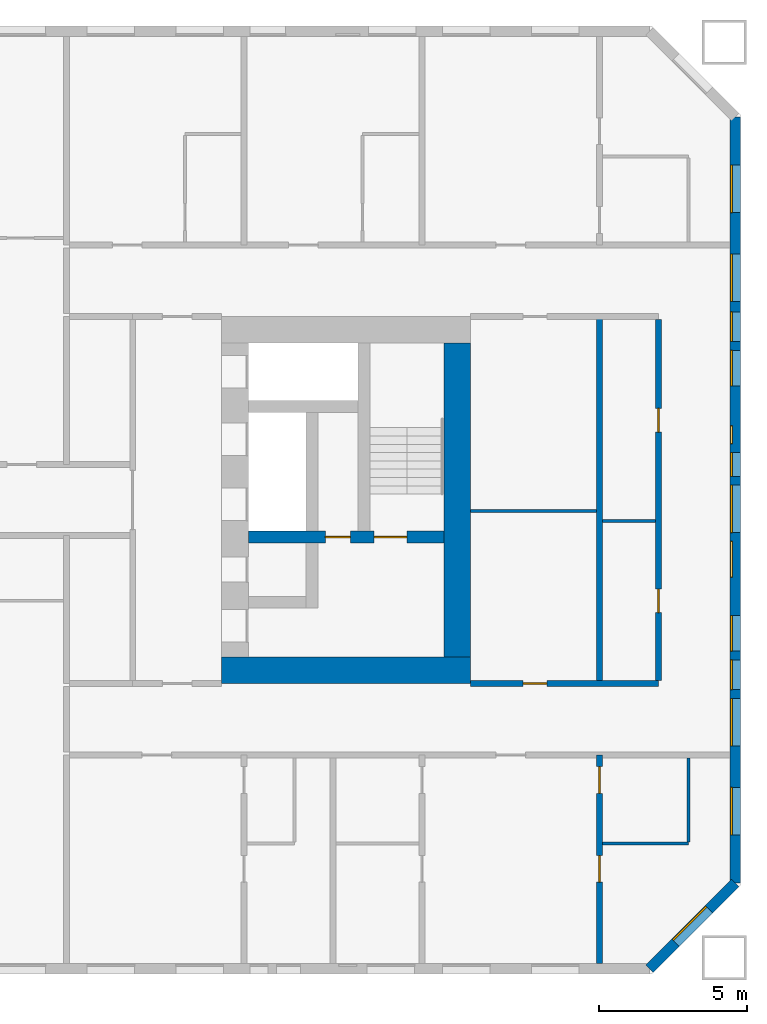
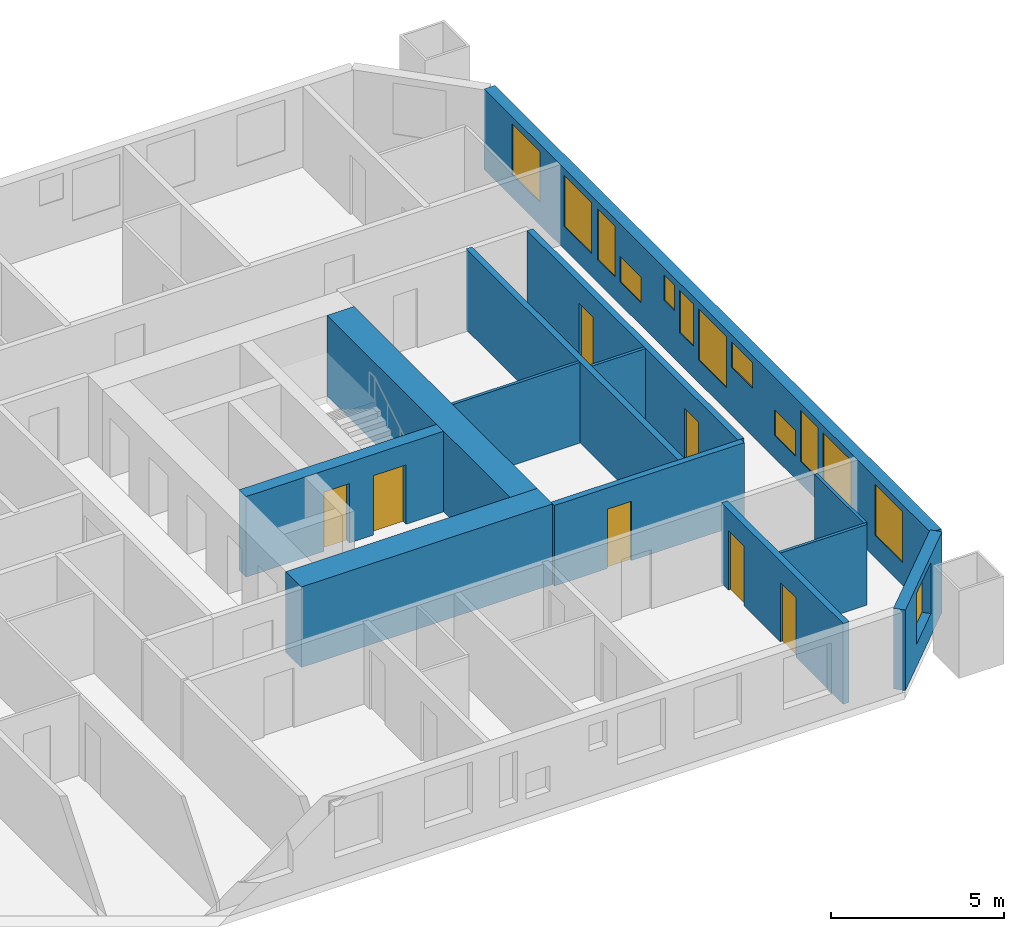
# One storey, part 13 of 17: 13 walls, 13 windows, 7 doors, 20 openings.
"""IFC4 building model written with IfcOpenShell, lengths in metres."""

from ifc_helpers import new_model, si_unit, direction, frame, frame_2d, origin, place, context, subcontext, project, spatial, rectangle, extrude, material, layer, layer_set, type_object, element, fill, save


model = new_model("IFC4")

# Units and contexts
model_context = context("Model", 3, precision=1e-05, world=origin(), true_north=direction((0.0, 1.0)))
body_context = subcontext(model_context, "Body", "Model", "MODEL_VIEW")
ifc_project = project(units=[si_unit("LENGTHUNIT", "METRE"), si_unit("AREAUNIT", "SQUARE_METRE"), si_unit("VOLUMEUNIT", "CUBIC_METRE"), si_unit("PLANEANGLEUNIT", "RADIAN"), si_unit("MASSUNIT", "GRAM", prefix="KILO")], contexts=[model_context])

# Site, building, storey
site_placement = place(None, origin())
site = spatial("IfcSite", under=ifc_project, at=site_placement, CompositionType="ELEMENT")
building_placement = place(site_placement, origin())
building = spatial("IfcBuilding", under=site, at=building_placement, Name="Tuart Gate Housing", CompositionType="ELEMENT")
storey_placement = place(building_placement, frame((0.0, 0.0, 28.800048828125)))
storey = spatial("IfcBuildingStorey", under=building, at=storey_placement, Name="L07", CompositionType="ELEMENT", Elevation=28.800048828125)

# Wall, opening, window
ifc_material_1 = material(Name="Brick", Category="masonry")
ifc_layer_1 = layer(ifc_material_1, 0.360107421875)
ifc_layer_set_1 = layer_set([ifc_layer_1], Name="Brick pier and spandrel wall 360")
wall_type_1 = type_object("IfcWallType", Name="Brick pier and spandrel wall 360", PredefinedType="STANDARD", material=ifc_layer_set_1)
wall_1_placement = place(storey_placement, frame((174.67529296875, 54.179931640625, 0.0), z_axis=(0.0, 0.0, 1.0), x_axis=(0.707106781187, 0.707106781187, 0.0)))
wall_1 = element("IfcWall", 1, at=wall_1_placement, inside=storey, type_object=wall_type_1, Name="External wall B-SE L07", PredefinedType="STANDARD", context=body_context, shape_type="SweptSolid", body=[
    extrude(rectangle(XDim=4.09375, YDim=0.360107421875, at=frame_2d((2.046875, 0.0))), origin(), (0.0, 0.0, 1.0), 2.849853515625),
])
opening_1_placement = place(wall_1_placement, frame((1.2470703125, 0.0, 0.800048828125)))
opening_1 = element("IfcOpeningElement", 2, at=opening_1_placement, cuts=wall_1, Name="Opening W1", PredefinedType="OPENING", context=body_context, shape_type="SweptSolid", body=[
    extrude(rectangle(XDim=1.60009765625, YDim=1.800048828125, at=frame_2d((0.800048828125, 0.89990234375))), frame((0.0, 0.18994140625, 0.0), z_axis=(0.0, -1.0, 0.0), x_axis=(1.0, 0.0, 0.0)), (0.0, 0.0, 1.0), 0.380126953125),
])
ifc_material_2 = material(Name="Aluminium frame with clear glass", Category="aluminium")
window_type_1 = type_object("IfcWindowType", Name="Punched window 1600 x 1800", PartitioningType="SINGLE_PANEL", PredefinedType="WINDOW", material=ifc_material_2)
window_1_placement = place(opening_1_placement, origin())
window_1 = element("IfcWindow", 3, at=window_1_placement, inside=storey, type_object=window_type_1, Name="Window W1", OverallHeight=1.800048828125, OverallWidth=1.60009765625, PartitioningType="SINGLE_PANEL", PredefinedType="WINDOW", context=body_context, shape_type="SweptSolid", body=[
    extrude(rectangle(XDim=1.60009765625, YDim=1.800048828125, at=frame_2d((0.800048828125, 0.89990234375))), frame((0.0, 0.150146484375, 0.0), z_axis=(0.0, -1.0, 0.0), x_axis=(1.0, 0.0, 0.0)), (0.0, 0.0, 1.0), 0.06005859375),
])
fill(opening_1, window_1)

# Wall, openings, windows
wall_2_placement = place(storey_placement, frame((177.570068359375, 57.07470703125, 0.0), z_axis=(0.0, 0.0, 1.0), x_axis=(0.0, 1.0, 0.0)))
wall_2 = element("IfcWall", 4, at=wall_2_placement, inside=storey, type_object=wall_type_1, Name="External wall B-E L07", PredefinedType="STANDARD", context=body_context, shape_type="SweptSolid", body=[
    extrude(rectangle(XDim=25.850830078125, YDim=0.360107421875, at=frame_2d((12.92529296875, 0.0))), origin(), (0.0, 0.0, 1.0), 2.849853515625),
])
opening_2_placement = place(wall_2_placement, frame((1.62548828125, 0.0, 0.800048828125)))
opening_2 = element("IfcOpeningElement", 5, at=opening_2_placement, cuts=wall_2, Name="Opening W1", PredefinedType="OPENING", context=body_context, shape_type="SweptSolid", body=[
    extrude(rectangle(XDim=1.60009765625, YDim=1.800048828125, at=frame_2d((0.800048828125, 0.89990234375))), frame((0.0, 0.18994140625, 0.0), z_axis=(0.0, -1.0, 0.0), x_axis=(1.0, 0.0, 0.0)), (0.0, 0.0, 1.0), 0.380126953125),
])
opening_3_placement = place(wall_2_placement, frame((4.62548828125, 0.0, 0.800048828125)))
opening_3 = element("IfcOpeningElement", 6, at=opening_3_placement, cuts=wall_2, Name="Opening W1", PredefinedType="OPENING", context=body_context, shape_type="SweptSolid", body=[
    extrude(rectangle(XDim=1.60009765625, YDim=1.800048828125, at=frame_2d((0.800048828125, 0.89990234375))), frame((0.0, 0.18994140625, 0.0), z_axis=(0.0, -1.0, 0.0), x_axis=(1.0, 0.0, 0.0)), (0.0, 0.0, 1.0), 0.380126953125),
])
opening_4_placement = place(wall_2_placement, frame((6.525390625, 0.0, 0.800048828125)))
opening_4 = element("IfcOpeningElement", 7, at=opening_4_placement, cuts=wall_2, Name="Opening W1C", PredefinedType="OPENING", context=body_context, shape_type="SweptSolid", body=[
    extrude(rectangle(XDim=1.0, YDim=1.800048828125, at=frame_2d((0.5, 0.89990234375))), frame((0.0, 0.18994140625, 0.0), z_axis=(0.0, -1.0, 0.0), x_axis=(1.0, 0.0, 0.0)), (0.0, 0.0, 1.0), 0.380126953125),
])
opening_5_placement = place(wall_2_placement, frame((7.825439453125, 0.0, 0.800048828125)))
opening_5 = element("IfcOpeningElement", 8, at=opening_5_placement, cuts=wall_2, Name="Opening W1T", PredefinedType="OPENING", context=body_context, shape_type="SweptSolid", body=[
    extrude(rectangle(XDim=1.199951171875, YDim=0.89990234375, at=frame_2d((0.60009765625, 0.449951171875))), frame((0.0, 0.18994140625, 0.0), z_axis=(0.0, -1.0, 0.0), x_axis=(1.0, 0.0, 0.0)), (0.0, 0.0, 1.0), 0.380126953125),
])
opening_6_placement = place(wall_2_placement, frame((10.325439453125, 0.0, 1.699951171875)))
opening_6 = element("IfcOpeningElement", 9, at=opening_6_placement, cuts=wall_2, Name="Opening W1T", PredefinedType="OPENING", context=body_context, shape_type="SweptSolid", body=[
    extrude(rectangle(XDim=1.199951171875, YDim=0.89990234375, at=frame_2d((0.60009765625, 0.449951171875))), frame((0.0, 0.18994140625, 0.0), z_axis=(0.0, -1.0, 0.0), x_axis=(1.0, 0.0, 0.0)), (0.0, 0.0, 1.0), 0.380126953125),
])
opening_7_placement = place(wall_2_placement, frame((11.825439453125, 0.0, 0.800048828125)))
opening_7 = element("IfcOpeningElement", 10, at=opening_7_placement, cuts=wall_2, Name="Opening W1", PredefinedType="OPENING", context=body_context, shape_type="SweptSolid", body=[
    extrude(rectangle(XDim=1.60009765625, YDim=1.800048828125, at=frame_2d((0.800048828125, 0.89990234375))), frame((0.0, 0.18994140625, 0.0), z_axis=(0.0, -1.0, 0.0), x_axis=(1.0, 0.0, 0.0)), (0.0, 0.0, 1.0), 0.380126953125),
])
opening_8_placement = place(wall_2_placement, frame((19.62548828125, 0.0, 0.800048828125)))
opening_8 = element("IfcOpeningElement", 11, at=opening_8_placement, cuts=wall_2, Name="Opening W1", PredefinedType="OPENING", context=body_context, shape_type="SweptSolid", body=[
    extrude(rectangle(XDim=1.60009765625, YDim=1.800048828125, at=frame_2d((0.800048828125, 0.89990234375))), frame((0.0, 0.18994140625, 0.0), z_axis=(0.0, -1.0, 0.0), x_axis=(1.0, 0.0, 0.0)), (0.0, 0.0, 1.0), 0.380126953125),
])
opening_9_placement = place(wall_2_placement, frame((22.62548828125, 0.0, 0.800048828125)))
opening_9 = element("IfcOpeningElement", 12, at=opening_9_placement, cuts=wall_2, Name="Opening W1", PredefinedType="OPENING", context=body_context, shape_type="SweptSolid", body=[
    extrude(rectangle(XDim=1.60009765625, YDim=1.800048828125, at=frame_2d((0.800048828125, 0.89990234375))), frame((0.0, 0.18994140625, 0.0), z_axis=(0.0, -1.0, 0.0), x_axis=(1.0, 0.0, 0.0)), (0.0, 0.0, 1.0), 0.380126953125),
])
opening_10_placement = place(wall_2_placement, frame((13.725341796875, 0.0, 1.10009765625)))
opening_10 = element("IfcOpeningElement", 13, at=opening_10_placement, cuts=wall_2, Name="Opening W1J", PredefinedType="OPENING", context=body_context, shape_type="SweptSolid", body=[
    extrude(rectangle(XDim=0.800048828125, YDim=1.5, at=frame_2d((0.39990234375, 0.75))), frame((0.0, 0.18994140625, 0.0), z_axis=(0.0, -1.0, 0.0), x_axis=(1.0, 0.0, 0.0)), (0.0, 0.0, 1.0), 0.380126953125),
])
opening_11_placement = place(wall_2_placement, frame((14.825439453125, 0.0, 1.699951171875)))
opening_11 = element("IfcOpeningElement", 14, at=opening_11_placement, cuts=wall_2, Name="Opening W1W", PredefinedType="OPENING", context=body_context, shape_type="SweptSolid", body=[
    extrude(rectangle(XDim=0.60009765625, YDim=0.89990234375, at=frame_2d((0.300048828125, 0.449951171875))), frame((0.0, 0.18994140625, 0.0), z_axis=(0.0, -1.0, 0.0), x_axis=(1.0, 0.0, 0.0)), (0.0, 0.0, 1.0), 0.380126953125),
])
opening_12_placement = place(wall_2_placement, frame((16.775390625, 0.0, 0.800048828125)))
opening_12 = element("IfcOpeningElement", 15, at=opening_12_placement, cuts=wall_2, Name="Opening W1T", PredefinedType="OPENING", context=body_context, shape_type="SweptSolid", body=[
    extrude(rectangle(XDim=1.199951171875, YDim=0.89990234375, at=frame_2d((0.60009765625, 0.449951171875))), frame((0.0, 0.18994140625, 0.0), z_axis=(0.0, -1.0, 0.0), x_axis=(1.0, 0.0, 0.0)), (0.0, 0.0, 1.0), 0.380126953125),
])
opening_13_placement = place(wall_2_placement, frame((18.275390625, 0.0, 0.800048828125)))
opening_13 = element("IfcOpeningElement", 16, at=opening_13_placement, cuts=wall_2, Name="Opening W1C", PredefinedType="OPENING", context=body_context, shape_type="SweptSolid", body=[
    extrude(rectangle(XDim=1.0, YDim=1.800048828125, at=frame_2d((0.5, 0.89990234375))), frame((0.0, 0.18994140625, 0.0), z_axis=(0.0, -1.0, 0.0), x_axis=(1.0, 0.0, 0.0)), (0.0, 0.0, 1.0), 0.380126953125),
])
ifc_material_3 = material(Name="Aluminium frame with clear glass", Category="aluminium")
window_type_2 = type_object("IfcWindowType", Name="Punched window 1000 x 1800", PartitioningType="SINGLE_PANEL", PredefinedType="WINDOW", material=ifc_material_3)
window_2_placement = place(opening_4_placement, origin())
window_2 = element("IfcWindow", 17, at=window_2_placement, inside=storey, type_object=window_type_2, Name="Window W1C", OverallHeight=1.800048828125, OverallWidth=1.0, PartitioningType="SINGLE_PANEL", PredefinedType="WINDOW", context=body_context, shape_type="SweptSolid", body=[
    extrude(rectangle(XDim=1.0, YDim=1.800048828125, at=frame_2d((0.5, 0.89990234375))), frame((0.0, 0.150146484375, 0.0), z_axis=(0.0, -1.0, 0.0), x_axis=(1.0, 0.0, 0.0)), (0.0, 0.0, 1.0), 0.06005859375),
])
fill(opening_4, window_2)
window_3_placement = place(opening_13_placement, origin())
window_3 = element("IfcWindow", 18, at=window_3_placement, inside=storey, type_object=window_type_2, Name="Window W1C", OverallHeight=1.800048828125, OverallWidth=1.0, PartitioningType="SINGLE_PANEL", PredefinedType="WINDOW", context=body_context, shape_type="SweptSolid", body=[
    extrude(rectangle(XDim=1.0, YDim=1.800048828125, at=frame_2d((0.5, 0.89990234375))), frame((0.0, 0.150146484375, 0.0), z_axis=(0.0, -1.0, 0.0), x_axis=(1.0, 0.0, 0.0)), (0.0, 0.0, 1.0), 0.06005859375),
])
fill(opening_13, window_3)
ifc_material_4 = material(Name="Aluminium frame with clear glass", Category="aluminium")
window_type_3 = type_object("IfcWindowType", Name="Punched window 1200 x 900", PartitioningType="SINGLE_PANEL", PredefinedType="WINDOW", material=ifc_material_4)
window_4_placement = place(opening_5_placement, origin())
window_4 = element("IfcWindow", 19, at=window_4_placement, inside=storey, type_object=window_type_3, Name="Window W1T", OverallHeight=0.89990234375, OverallWidth=1.199951171875, PartitioningType="SINGLE_PANEL", PredefinedType="WINDOW", context=body_context, shape_type="SweptSolid", body=[
    extrude(rectangle(XDim=1.199951171875, YDim=0.89990234375, at=frame_2d((0.60009765625, 0.449951171875))), frame((0.0, 0.150146484375, 0.0), z_axis=(0.0, -1.0, 0.0), x_axis=(1.0, 0.0, 0.0)), (0.0, 0.0, 1.0), 0.06005859375),
])
fill(opening_5, window_4)
window_5_placement = place(opening_6_placement, origin())
window_5 = element("IfcWindow", 20, at=window_5_placement, inside=storey, type_object=window_type_3, Name="Window W1T", OverallHeight=0.89990234375, OverallWidth=1.199951171875, PartitioningType="SINGLE_PANEL", PredefinedType="WINDOW", context=body_context, shape_type="SweptSolid", body=[
    extrude(rectangle(XDim=1.199951171875, YDim=0.89990234375, at=frame_2d((0.60009765625, 0.449951171875))), frame((0.0, 0.150146484375, 0.0), z_axis=(0.0, -1.0, 0.0), x_axis=(1.0, 0.0, 0.0)), (0.0, 0.0, 1.0), 0.06005859375),
])
fill(opening_6, window_5)
window_6_placement = place(opening_12_placement, origin())
window_6 = element("IfcWindow", 21, at=window_6_placement, inside=storey, type_object=window_type_3, Name="Window W1T", OverallHeight=0.89990234375, OverallWidth=1.199951171875, PartitioningType="SINGLE_PANEL", PredefinedType="WINDOW", context=body_context, shape_type="SweptSolid", body=[
    extrude(rectangle(XDim=1.199951171875, YDim=0.89990234375, at=frame_2d((0.60009765625, 0.449951171875))), frame((0.0, 0.150146484375, 0.0), z_axis=(0.0, -1.0, 0.0), x_axis=(1.0, 0.0, 0.0)), (0.0, 0.0, 1.0), 0.06005859375),
])
fill(opening_12, window_6)
window_7_placement = place(opening_2_placement, origin())
window_7 = element("IfcWindow", 22, at=window_7_placement, inside=storey, type_object=window_type_1, Name="Window W1", OverallHeight=1.800048828125, OverallWidth=1.60009765625, PartitioningType="SINGLE_PANEL", PredefinedType="WINDOW", context=body_context, shape_type="SweptSolid", body=[
    extrude(rectangle(XDim=1.60009765625, YDim=1.800048828125, at=frame_2d((0.800048828125, 0.89990234375))), frame((0.0, 0.150146484375, 0.0), z_axis=(0.0, -1.0, 0.0), x_axis=(1.0, 0.0, 0.0)), (0.0, 0.0, 1.0), 0.06005859375),
])
fill(opening_2, window_7)
window_8_placement = place(opening_3_placement, origin())
window_8 = element("IfcWindow", 23, at=window_8_placement, inside=storey, type_object=window_type_1, Name="Window W1", OverallHeight=1.800048828125, OverallWidth=1.60009765625, PartitioningType="SINGLE_PANEL", PredefinedType="WINDOW", context=body_context, shape_type="SweptSolid", body=[
    extrude(rectangle(XDim=1.60009765625, YDim=1.800048828125, at=frame_2d((0.800048828125, 0.89990234375))), frame((0.0, 0.150146484375, 0.0), z_axis=(0.0, -1.0, 0.0), x_axis=(1.0, 0.0, 0.0)), (0.0, 0.0, 1.0), 0.06005859375),
])
fill(opening_3, window_8)
window_9_placement = place(opening_7_placement, origin())
window_9 = element("IfcWindow", 24, at=window_9_placement, inside=storey, type_object=window_type_1, Name="Window W1", OverallHeight=1.800048828125, OverallWidth=1.60009765625, PartitioningType="SINGLE_PANEL", PredefinedType="WINDOW", context=body_context, shape_type="SweptSolid", body=[
    extrude(rectangle(XDim=1.60009765625, YDim=1.800048828125, at=frame_2d((0.800048828125, 0.89990234375))), frame((0.0, 0.150146484375, 0.0), z_axis=(0.0, -1.0, 0.0), x_axis=(1.0, 0.0, 0.0)), (0.0, 0.0, 1.0), 0.06005859375),
])
fill(opening_7, window_9)
window_10_placement = place(opening_8_placement, origin())
window_10 = element("IfcWindow", 25, at=window_10_placement, inside=storey, type_object=window_type_1, Name="Window W1", OverallHeight=1.800048828125, OverallWidth=1.60009765625, PartitioningType="SINGLE_PANEL", PredefinedType="WINDOW", context=body_context, shape_type="SweptSolid", body=[
    extrude(rectangle(XDim=1.60009765625, YDim=1.800048828125, at=frame_2d((0.800048828125, 0.89990234375))), frame((0.0, 0.150146484375, 0.0), z_axis=(0.0, -1.0, 0.0), x_axis=(1.0, 0.0, 0.0)), (0.0, 0.0, 1.0), 0.06005859375),
])
fill(opening_8, window_10)
window_11_placement = place(opening_9_placement, origin())
window_11 = element("IfcWindow", 26, at=window_11_placement, inside=storey, type_object=window_type_1, Name="Window W1", OverallHeight=1.800048828125, OverallWidth=1.60009765625, PartitioningType="SINGLE_PANEL", PredefinedType="WINDOW", context=body_context, shape_type="SweptSolid", body=[
    extrude(rectangle(XDim=1.60009765625, YDim=1.800048828125, at=frame_2d((0.800048828125, 0.89990234375))), frame((0.0, 0.150146484375, 0.0), z_axis=(0.0, -1.0, 0.0), x_axis=(1.0, 0.0, 0.0)), (0.0, 0.0, 1.0), 0.06005859375),
])
fill(opening_9, window_11)
ifc_material_5 = material(Name="Aluminium frame with clear glass", Category="aluminium")
window_type_4 = type_object("IfcWindowType", Name="Punched window 600 x 900", PartitioningType="SINGLE_PANEL", PredefinedType="WINDOW", material=ifc_material_5)
window_12_placement = place(opening_11_placement, origin())
window_12 = element("IfcWindow", 27, at=window_12_placement, inside=storey, type_object=window_type_4, Name="Window W1W", OverallHeight=0.89990234375, OverallWidth=0.60009765625, PartitioningType="SINGLE_PANEL", PredefinedType="WINDOW", context=body_context, shape_type="SweptSolid", body=[
    extrude(rectangle(XDim=0.60009765625, YDim=0.89990234375, at=frame_2d((0.300048828125, 0.449951171875))), frame((0.0, 0.150146484375, 0.0), z_axis=(0.0, -1.0, 0.0), x_axis=(1.0, 0.0, 0.0)), (0.0, 0.0, 1.0), 0.06005859375),
])
fill(opening_11, window_12)
ifc_material_6 = material(Name="Aluminium frame with clear glass", Category="aluminium")
window_type_5 = type_object("IfcWindowType", Name="Punched window 800 x 1500", PartitioningType="SINGLE_PANEL", PredefinedType="WINDOW", material=ifc_material_6)
window_13_placement = place(opening_10_placement, origin())
window_13 = element("IfcWindow", 28, at=window_13_placement, inside=storey, type_object=window_type_5, Name="Window W1J", OverallHeight=1.5, OverallWidth=0.800048828125, PartitioningType="SINGLE_PANEL", PredefinedType="WINDOW", context=body_context, shape_type="SweptSolid", body=[
    extrude(rectangle(XDim=0.800048828125, YDim=1.5, at=frame_2d((0.39990234375, 0.75))), frame((0.0, 0.150146484375, 0.0), z_axis=(0.0, -1.0, 0.0), x_axis=(1.0, 0.0, 0.0)), (0.0, 0.0, 1.0), 0.06005859375),
])
fill(opening_10, window_13)

# Wall, openings, doors
ifc_material_7 = material(Name="Concrete C60", Category="concrete")
ifc_layer_2 = layer(ifc_material_7, 0.39990234375)
ifc_layer_set_2 = layer_set([ifc_layer_2], Name="Core wall 400 C60")
wall_type_2 = type_object("IfcWallType", Name="Core wall 400 C60", PredefinedType="SHEAR", material=ifc_layer_set_2)
wall_3_placement = place(storey_placement, frame((161.139892578125, 68.75, 0.0), z_axis=(0.0, 0.0, 1.0), x_axis=(1.0, 0.0, 0.0)))
wall_3 = element("IfcWall", 29, at=wall_3_placement, inside=storey, type_object=wall_type_2, Name="Core wall BK.2", PredefinedType="SHEAR", context=body_context, shape_type="SweptSolid", body=[
    extrude(rectangle(XDim=6.60009765625, YDim=0.39990234375, at=frame_2d((3.300048828125, 0.0))), origin(), (0.0, 0.0, 1.0), 2.849853515625),
])
opening_14_placement = place(wall_3_placement, frame((4.25, 0.0, 0.0)))
opening_14 = element("IfcOpeningElement", 30, at=opening_14_placement, cuts=wall_3, Name="Opening D568", PredefinedType="OPENING", context=body_context, shape_type="SweptSolid", body=[
    extrude(rectangle(XDim=1.10009765625, YDim=2.10009765625, at=frame_2d((0.550048828125, 1.050048828125))), frame((0.0, 0.2099609375, 0.0), z_axis=(0.0, -1.0, 0.0), x_axis=(1.0, 0.0, 0.0)), (0.0, 0.0, 1.0), 0.419921875),
])
opening_15_placement = place(wall_3_placement, frame((2.60009765625, 0.0, 0.0)))
opening_15 = element("IfcOpeningElement", 31, at=opening_15_placement, cuts=wall_3, Name="Opening D567", PredefinedType="OPENING", context=body_context, shape_type="SweptSolid", body=[
    extrude(rectangle(XDim=0.85009765625, YDim=2.10009765625, at=frame_2d((0.425048828125, 1.050048828125))), frame((0.0, 0.2099609375, 0.0), z_axis=(0.0, -1.0, 0.0), x_axis=(1.0, 0.0, 0.0)), (0.0, 0.0, 1.0), 0.419921875),
])
ifc_material_8 = material(Name="Steel fire door", Category="steel")
door_type_1 = type_object("IfcDoorType", Name="Riser door 850 x 2100", OperationType="SINGLE_SWING_LEFT", PredefinedType="DOOR", material=ifc_material_8)
door_1_placement = place(opening_15_placement, origin())
door_1 = element("IfcDoor", 32, at=door_1_placement, inside=storey, type_object=door_type_1, Name="Service room door BK.W1", OperationType="SINGLE_SWING_LEFT", OverallHeight=2.10009765625, OverallWidth=0.85009765625, PredefinedType="DOOR", context=body_context, shape_type="SweptSolid", body=[
    extrude(rectangle(XDim=0.85009765625, YDim=2.10009765625, at=frame_2d((0.425048828125, 1.050048828125))), frame((0.0, 0.02490234375, 0.0), z_axis=(0.0, -1.0, 0.0), x_axis=(1.0, 0.0, 0.0)), (0.0, 0.0, 1.0), 0.050048828125),
])
fill(opening_15, door_1)
ifc_material_9 = material(Name="Steel fire door", Category="steel")
door_type_2 = type_object("IfcDoorType", Name="Stair door 1100 x 2100", OperationType="SINGLE_SWING_LEFT", PredefinedType="DOOR", material=ifc_material_9)
door_2_placement = place(opening_14_placement, origin())
door_2 = element("IfcDoor", 33, at=door_2_placement, inside=storey, type_object=door_type_2, Name="Stair door BK.SD", OperationType="SINGLE_SWING_LEFT", OverallHeight=2.10009765625, OverallWidth=1.10009765625, PredefinedType="DOOR", context=body_context, shape_type="SweptSolid", body=[
    extrude(rectangle(XDim=1.10009765625, YDim=2.10009765625, at=frame_2d((0.550048828125, 1.050048828125))), frame((0.0, 0.02490234375, 0.0), z_axis=(0.0, -1.0, 0.0), x_axis=(1.0, 0.0, 0.0)), (0.0, 0.0, 1.0), 0.050048828125),
])
fill(opening_14, door_2)

# Walls
ifc_material_10 = material(Name="Concrete C60", Category="concrete")
ifc_layer_3 = layer(ifc_material_10, 0.89990234375)
ifc_layer_set_3 = layer_set([ifc_layer_3], Name="Core wall 900 C60")
wall_type_3 = type_object("IfcWallType", Name="Core wall 900 C60", PredefinedType="SHEAR", material=ifc_layer_set_3)
wall_4_placement = place(storey_placement, frame((168.18994140625, 75.300048828125, 0.0), z_axis=(0.0, 0.0, 1.0), x_axis=(0.0, -1.0, 0.0)))
element("IfcWall", 34, at=wall_4_placement, inside=storey, type_object=wall_type_3, Name="Core wall BK back", PredefinedType="SHEAR", context=body_context, shape_type="SweptSolid", body=[
    extrude(rectangle(XDim=10.60009765625, YDim=0.89990234375, at=frame_2d((5.300048828125, 0.0))), origin(), (0.0, 0.0, 1.0), 2.849853515625),
])
wall_5_placement = place(storey_placement, frame((160.239990234375, 64.25, 0.0), z_axis=(0.0, 0.0, 1.0), x_axis=(1.0, 0.0, 0.0)))
element("IfcWall", 35, at=wall_5_placement, inside=storey, type_object=wall_type_3, Name="Core wall BK north", PredefinedType="SHEAR", context=body_context, shape_type="SweptSolid", body=[
    extrude(rectangle(XDim=8.39990234375, YDim=0.89990234375, at=frame_2d((4.199951171875, 0.0))), origin(), (0.0, 0.0, 1.0), 2.849853515625),
])

# Wall, opening, door
ifc_material_11 = material(Name="Concrete masonry 15 MPa", Category="masonry")
ifc_layer_4 = layer(ifc_material_11, 0.199951171875)
ifc_layer_set_4 = layer_set([ifc_layer_4], Name="Corridor wall masonry 200")
wall_type_4 = type_object("IfcWallType", Name="Corridor wall masonry 200", PredefinedType="PARTITIONING", material=ifc_layer_set_4)
wall_6_placement = place(storey_placement, frame((168.639892578125, 63.800048828125, 0.0), z_axis=(0.0, 0.0, 1.0), x_axis=(1.0, 0.0, 0.0)))
wall_6 = element("IfcWall", 36, at=wall_6_placement, inside=storey, type_object=wall_type_4, Name="Corridor wall masonry 200", PredefinedType="PARTITIONING", context=body_context, shape_type="SweptSolid", body=[
    extrude(rectangle(XDim=6.35009765625, YDim=0.199951171875, at=frame_2d((3.175048828125, 0.0))), origin(), (0.0, 0.0, 1.0), 2.849853515625),
])
opening_16_placement = place(wall_6_placement, frame((1.780029296875, 0.0, 0.0)))
opening_16 = element("IfcOpeningElement", 37, at=opening_16_placement, cuts=wall_6, Name="Opening D571", PredefinedType="OPENING", context=body_context, shape_type="SweptSolid", body=[
    extrude(rectangle(XDim=0.800048828125, YDim=2.10009765625, at=frame_2d((0.39990234375, 1.050048828125))), frame((0.0, 0.10986328125, 0.0), z_axis=(0.0, -1.0, 0.0), x_axis=(1.0, 0.0, 0.0)), (0.0, 0.0, 1.0), 0.219970703125),
])
ifc_material_12 = material(Name="Timber door leaf in steel frame", Category="steel")
door_type_3 = type_object("IfcDoorType", Name="Store door 800", OperationType="SINGLE_SWING_LEFT", PredefinedType="DOOR", material=ifc_material_12)
door_3_placement = place(opening_16_placement, origin())
door_3 = element("IfcDoor", 38, at=door_3_placement, inside=storey, type_object=door_type_3, Name="Store door", OperationType="SINGLE_SWING_LEFT", OverallHeight=2.10009765625, OverallWidth=0.800048828125, PredefinedType="DOOR", context=body_context, shape_type="SweptSolid", body=[
    extrude(rectangle(XDim=0.800048828125, YDim=2.10009765625, at=frame_2d((0.39990234375, 1.050048828125))), frame((0.0, 0.02490234375, 0.0), z_axis=(0.0, -1.0, 0.0), x_axis=(1.0, 0.0, 0.0)), (0.0, 0.0, 1.0), 0.050048828125),
])
fill(opening_16, door_3)

# Wall, openings, doors
wall_7_placement = place(storey_placement, frame((174.989990234375, 63.89990234375, 0.0), z_axis=(0.0, 0.0, 1.0), x_axis=(0.0, 1.0, 0.0)))
wall_7 = element("IfcWall", 39, at=wall_7_placement, inside=storey, type_object=wall_type_4, Name="Corridor wall masonry 200", PredefinedType="PARTITIONING", context=body_context, shape_type="SweptSolid", body=[
    extrude(rectangle(XDim=12.2001953125, YDim=0.199951171875, at=frame_2d((6.10009765625, 0.0))), origin(), (0.0, 0.0, 1.0), 2.849853515625),
])
opening_17_placement = place(wall_7_placement, frame((2.294921875, 0.0, 0.0)))
opening_17 = element("IfcOpeningElement", 40, at=opening_17_placement, cuts=wall_7, Name="Opening D562", PredefinedType="OPENING", context=body_context, shape_type="SweptSolid", body=[
    extrude(rectangle(XDim=0.800048828125, YDim=2.10009765625, at=frame_2d((0.39990234375, 1.050048828125))), frame((0.0, 0.10986328125, 0.0), z_axis=(0.0, -1.0, 0.0), x_axis=(1.0, 0.0, 0.0)), (0.0, 0.0, 1.0), 0.219970703125),
])
opening_18_placement = place(wall_7_placement, frame((8.39501953125, 0.0, 0.0)))
opening_18 = element("IfcOpeningElement", 41, at=opening_18_placement, cuts=wall_7, Name="Opening D563", PredefinedType="OPENING", context=body_context, shape_type="SweptSolid", body=[
    extrude(rectangle(XDim=0.800048828125, YDim=2.10009765625, at=frame_2d((0.39990234375, 1.050048828125))), frame((0.0, 0.10986328125, 0.0), z_axis=(0.0, -1.0, 0.0), x_axis=(1.0, 0.0, 0.0)), (0.0, 0.0, 1.0), 0.219970703125),
])
door_4_placement = place(opening_18_placement, origin())
door_4 = element("IfcDoor", 42, at=door_4_placement, inside=storey, type_object=door_type_3, Name="Store door", OperationType="SINGLE_SWING_LEFT", OverallHeight=2.10009765625, OverallWidth=0.800048828125, PredefinedType="DOOR", context=body_context, shape_type="SweptSolid", body=[
    extrude(rectangle(XDim=0.800048828125, YDim=2.10009765625, at=frame_2d((0.39990234375, 1.050048828125))), frame((0.0, 0.02490234375, 0.0), z_axis=(0.0, -1.0, 0.0), x_axis=(1.0, 0.0, 0.0)), (0.0, 0.0, 1.0), 0.050048828125),
])
fill(opening_18, door_4)
ifc_material_13 = material(Name="Timber door leaf in steel frame", Category="steel")
door_type_4 = type_object("IfcDoorType", Name="Store door 800 RH", OperationType="SINGLE_SWING_RIGHT", PredefinedType="DOOR", material=ifc_material_13)
door_5_placement = place(opening_17_placement, origin())
door_5 = element("IfcDoor", 43, at=door_5_placement, inside=storey, type_object=door_type_4, Name="Store door", OperationType="SINGLE_SWING_RIGHT", OverallHeight=2.10009765625, OverallWidth=0.800048828125, PredefinedType="DOOR", context=body_context, shape_type="SweptSolid", body=[
    extrude(rectangle(XDim=0.800048828125, YDim=2.10009765625, at=frame_2d((0.39990234375, 1.050048828125))), frame((0.0, 0.02490234375, 0.0), z_axis=(0.0, -1.0, 0.0), x_axis=(1.0, 0.0, 0.0)), (0.0, 0.0, 1.0), 0.050048828125),
])
fill(opening_17, door_5)

# Walls
ifc_material_14 = material(Name="Gypsum board on steel studs", Category="steel")
ifc_layer_5 = layer(ifc_material_14, 0.10009765625)
ifc_layer_set_5 = layer_set([ifc_layer_5], Name="Partition 100")
wall_type_5 = type_object("IfcWallType", Name="Partition 100", PredefinedType="PARTITIONING", material=ifc_layer_set_5)
wall_8_placement = place(storey_placement, frame((173.10009765625, 58.39990234375, 0.0), z_axis=(0.0, 0.0, 1.0), x_axis=(1.0, 0.0, 0.0)))
element("IfcWall", 44, at=wall_8_placement, inside=storey, type_object=wall_type_5, Name="Partition 100", PredefinedType="PARTITIONING", context=body_context, shape_type="SweptSolid", body=[
    extrude(rectangle(XDim=2.89990234375, YDim=0.10009765625, at=frame_2d((1.449951171875, 0.0))), origin(), (0.0, 0.0, 1.0), 2.849853515625),
])
wall_9_placement = place(storey_placement, frame((173.10009765625, 69.2900390625, 0.0), z_axis=(0.0, 0.0, 1.0), x_axis=(1.0, 0.0, 0.0)))
element("IfcWall", 45, at=wall_9_placement, inside=storey, type_object=wall_type_5, Name="Partition 100", PredefinedType="PARTITIONING", context=body_context, shape_type="SweptSolid", body=[
    extrude(rectangle(XDim=1.789794921875, YDim=0.10009765625, at=frame_2d((0.89501953125, 0.0))), origin(), (0.0, 0.0, 1.0), 2.849853515625),
])
wall_10_placement = place(storey_placement, frame((168.639892578125, 69.6298828125, 0.0), z_axis=(0.0, 0.0, 1.0), x_axis=(1.0, 0.0, 0.0)))
element("IfcWall", 46, at=wall_10_placement, inside=storey, type_object=wall_type_5, Name="Partition 100", PredefinedType="PARTITIONING", context=body_context, shape_type="SweptSolid", body=[
    extrude(rectangle(XDim=4.260009765625, YDim=0.10009765625, at=frame_2d((2.1298828125, 0.0))), origin(), (0.0, 0.0, 1.0), 2.849853515625),
])
wall_11_placement = place(storey_placement, frame((176.0, 58.449951171875, 0.0), z_axis=(0.0, 0.0, 1.0), x_axis=(0.0, 1.0, 0.0)))
element("IfcWall", 47, at=wall_11_placement, inside=storey, type_object=wall_type_5, Name="Partition 100", PredefinedType="PARTITIONING", context=body_context, shape_type="SweptSolid", body=[
    extrude(rectangle(XDim=2.85009765625, YDim=0.10009765625, at=frame_2d((1.425048828125, 0.0))), origin(), (0.0, 0.0, 1.0), 2.849853515625),
])

# Wall, openings, doors
ifc_material_15 = material(Name="Concrete C40", Category="concrete")
ifc_layer_6 = layer(ifc_material_15, 0.199951171875)
ifc_layer_set_6 = layer_set([ifc_layer_6], Name="Party wall concrete C40 200")
wall_type_6 = type_object("IfcWallType", Name="Party wall concrete C40 200", PredefinedType="SOLIDWALL", material=ifc_layer_set_6)
wall_12_placement = place(storey_placement, frame((173.0, 54.360107421875, 0.0), z_axis=(0.0, 0.0, 1.0), x_axis=(0.0, 1.0, 0.0)))
wall_12 = element("IfcWall", 48, at=wall_12_placement, inside=storey, type_object=wall_type_6, Name="Party wall concrete C40 200", PredefinedType="SOLIDWALL", context=body_context, shape_type="SweptSolid", body=[
    extrude(rectangle(XDim=7.039794921875, YDim=0.199951171875, at=frame_2d((3.52001953125, 0.0))), origin(), (0.0, 0.0, 1.0), 2.849853515625),
])
opening_19_placement = place(wall_12_placement, frame((2.739990234375, 0.0, 0.0)))
opening_19 = element("IfcOpeningElement", 49, at=opening_19_placement, cuts=wall_12, Name="Opening D589", PredefinedType="OPENING", context=body_context, shape_type="SweptSolid", body=[
    extrude(rectangle(XDim=0.89990234375, YDim=2.10009765625, at=frame_2d((0.449951171875, 1.050048828125))), frame((0.0, 0.10986328125, 0.0), z_axis=(0.0, -1.0, 0.0), x_axis=(1.0, 0.0, 0.0)), (0.0, 0.0, 1.0), 0.219970703125),
])
opening_20_placement = place(wall_12_placement, frame((5.739990234375, 0.0, 0.0)))
opening_20 = element("IfcOpeningElement", 50, at=opening_20_placement, cuts=wall_12, Name="Opening D588", PredefinedType="OPENING", context=body_context, shape_type="SweptSolid", body=[
    extrude(rectangle(XDim=0.89990234375, YDim=2.10009765625, at=frame_2d((0.449951171875, 1.050048828125))), frame((0.0, 0.10986328125, 0.0), z_axis=(0.0, -1.0, 0.0), x_axis=(1.0, 0.0, 0.0)), (0.0, 0.0, 1.0), 0.219970703125),
])
ifc_material_16 = material(Name="Timber door leaf in steel frame", Category="steel")
door_type_5 = type_object("IfcDoorType", Name="Bathroom door 900", OperationType="SINGLE_SWING_LEFT", PredefinedType="DOOR", material=ifc_material_16)
door_6_placement = place(opening_20_placement, frame((0.89990234375, 0.0, 0.0), z_axis=(0.0, 0.0, 1.0), x_axis=(-1.0, 0.0, 0.0)))
door_6 = element("IfcDoor", 51, at=door_6_placement, inside=storey, type_object=door_type_5, Name="Bathroom door", OperationType="SINGLE_SWING_LEFT", OverallHeight=2.10009765625, OverallWidth=0.89990234375, PredefinedType="DOOR", context=body_context, shape_type="SweptSolid", body=[
    extrude(rectangle(XDim=0.89990234375, YDim=2.10009765625, at=frame_2d((0.449951171875, 1.050048828125))), frame((0.0, 0.025146484375, 0.0), z_axis=(0.0, -1.0, 0.0), x_axis=(1.0, 0.0, 0.0)), (0.0, 0.0, 1.0), 0.050048828125),
])
fill(opening_20, door_6)
ifc_material_17 = material(Name="Timber door leaf in steel frame", Category="steel")
door_type_6 = type_object("IfcDoorType", Name="Internal door 900", OperationType="SINGLE_SWING_LEFT", PredefinedType="DOOR", material=ifc_material_17)
door_7_placement = place(opening_19_placement, frame((0.89990234375, 0.0, 0.0), z_axis=(0.0, 0.0, 1.0), x_axis=(-1.0, 0.0, 0.0)))
door_7 = element("IfcDoor", 52, at=door_7_placement, inside=storey, type_object=door_type_6, Name="Internal door", OperationType="SINGLE_SWING_LEFT", OverallHeight=2.10009765625, OverallWidth=0.89990234375, PredefinedType="DOOR", context=body_context, shape_type="SweptSolid", body=[
    extrude(rectangle(XDim=0.89990234375, YDim=2.10009765625, at=frame_2d((0.449951171875, 1.050048828125))), frame((0.0, 0.025146484375, 0.0), z_axis=(0.0, -1.0, 0.0), x_axis=(1.0, 0.0, 0.0)), (0.0, 0.0, 1.0), 0.050048828125),
])
fill(opening_19, door_7)

# Wall
wall_13_placement = place(storey_placement, frame((173.0, 63.800048828125, 0.0), z_axis=(0.0, 0.0, 1.0), x_axis=(0.0, 1.0, 0.0)))
element("IfcWall", 53, at=wall_13_placement, inside=storey, type_object=wall_type_6, Name="Party wall concrete C40 200", PredefinedType="SOLIDWALL", context=body_context, shape_type="SweptSolid", body=[
    extrude(rectangle(XDim=12.39990234375, YDim=0.199951171875, at=frame_2d((6.199951171875, 0.0))), origin(), (0.0, 0.0, 1.0), 2.849853515625),
])

save(model, "model.ifc")
